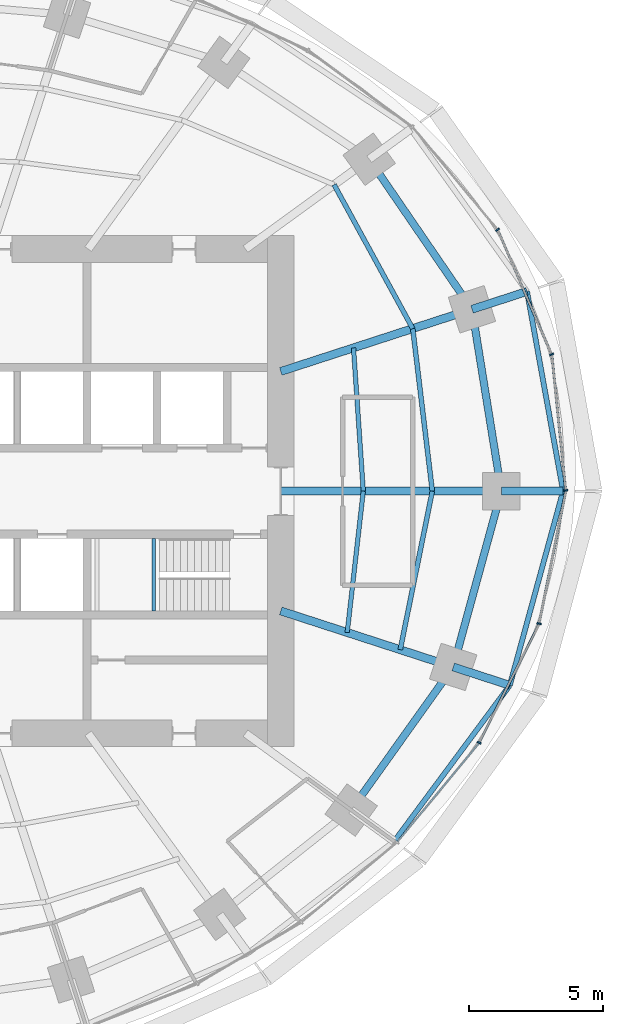
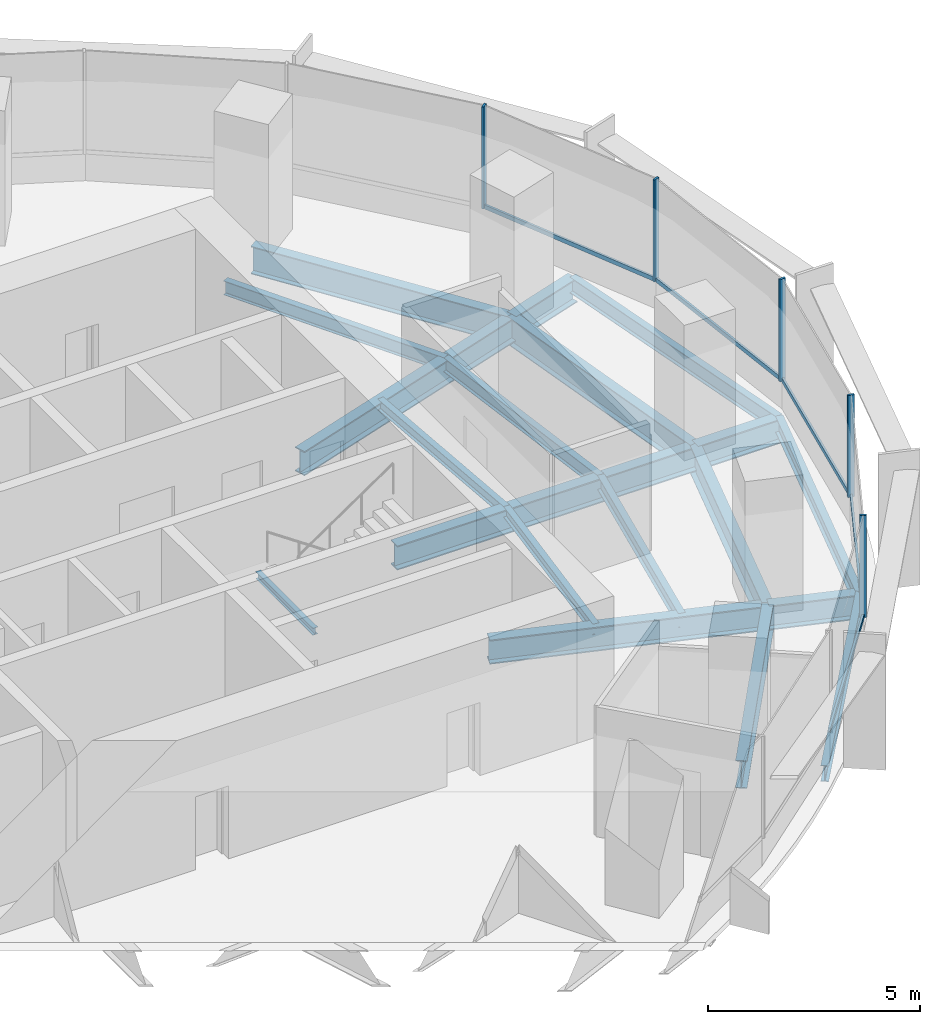
# One storey, part 6 of 15: 19 beams, 10 members, 2 elements without a shape of their own.
"""IFC4 building model written with IfcOpenShell, lengths in metres."""

from ifc_helpers import new_model, si_unit, direction, frame, origin, origin_2d, place, context, subcontext, project, spatial, rectangle, i_section, extrude, material, material_profile, profile_set, type_object, element, aggregate, save


model = new_model("IFC4")

# Units and contexts
model_context = context("Model", 3, precision=1e-05, world=origin(), true_north=direction((0.0, 1.0)))
body_context = subcontext(model_context, "Body", "Model", "MODEL_VIEW")
ifc_project = project(units=[si_unit("LENGTHUNIT", "METRE"), si_unit("AREAUNIT", "SQUARE_METRE"), si_unit("VOLUMEUNIT", "CUBIC_METRE"), si_unit("PLANEANGLEUNIT", "RADIAN"), si_unit("MASSUNIT", "GRAM", prefix="KILO")], contexts=[model_context])

# Site, building, storey
site_placement = place(None, origin())
site = spatial("IfcSite", under=ifc_project, at=site_placement, CompositionType="ELEMENT")
building_placement = place(site_placement, origin())
building = spatial("IfcBuilding", under=site, at=building_placement, Name="Marramba Exchange Tower", CompositionType="ELEMENT")
storey_placement = place(building_placement, frame((0.0, 0.0, 187.699951171875)))
storey = spatial("IfcBuildingStorey", under=building, at=storey_placement, Name="L45", CompositionType="ELEMENT", Elevation=187.699951171875)

# Beams
ifc_material_1 = material(Name="Steel AS/NZS 3679.2 grade 300", Category="steel")
ifc_material_profile_1 = material_profile(ifc_material_1, i_section(OverallWidth=0.300048828125, OverallDepth=0.699951171875, WebThickness=0.010009765625, FlangeThickness=0.031982421875, at=origin_2d()), Name="700WB173")
ifc_profile_set_1 = profile_set([ifc_material_profile_1], Name="Steel AS/NZS 3679.2 grade 300")
beam_type_1 = type_object("IfcBeamType", Name="Cantilever girder 700WB173", PredefinedType="BEAM", material=ifc_profile_set_1)
beam_1_placement = place(storey_placement, frame((21.89990234375, 0.0, -0.510009765625), z_axis=(1.0, 0.0, 0.0), x_axis=(0.0, 1.0, 0.0)))
element("IfcBeam", 1, at=beam_1_placement, inside=storey, type_object=beam_type_1, Name="Cantilever girder L45 TC01", PredefinedType="BEAM", context=body_context, shape_type="SweptSolid", body=[
    extrude(i_section(OverallWidth=0.300048828125, OverallDepth=0.699951171875, WebThickness=0.010009765625, FlangeThickness=0.031982421875, at=origin_2d()), origin(), (0.0, 0.0, 1.0), 2.294189453125),
])
beam_2_placement = place(storey_placement, frame((20.808349609375, 6.760986328125, -0.510009765625), z_axis=(0.951051587859, 0.309032162129, 0.0), x_axis=(-0.309032162129, 0.951051587859, 0.0)))
element("IfcBeam", 2, at=beam_2_placement, inside=storey, type_object=beam_type_1, Name="Cantilever girder L45 TC02", PredefinedType="BEAM", context=body_context, shape_type="SweptSolid", body=[
    extrude(i_section(OverallWidth=0.300048828125, OverallDepth=0.699951171875, WebThickness=0.010009765625, FlangeThickness=0.031982421875, at=origin_2d()), origin(), (0.0, 0.0, 1.0), 2.150390625),
])
beam_3_placement = place(storey_placement, frame((20.109375, -6.533935546875, -0.510009765625), z_axis=(0.951050283347, -0.309036176758, 0.0), x_axis=(0.309036176758, 0.951050283347, 0.0)))
element("IfcBeam", 3, at=beam_3_placement, inside=storey, type_object=beam_type_1, Name="Cantilever girder L45 TC20", PredefinedType="BEAM", context=body_context, shape_type="SweptSolid", body=[
    extrude(i_section(OverallWidth=0.300048828125, OverallDepth=0.699951171875, WebThickness=0.010009765625, FlangeThickness=0.031982421875, at=origin_2d()), origin(), (0.0, 0.0, 1.0), 2.212890625),
])
ifc_material_2 = material(Name="Steel AS/NZS 3679.1 grade 300", Category="steel")
ifc_material_profile_2 = material_profile(ifc_material_2, i_section(OverallWidth=0.166015625, OverallDepth=0.306884765625, WebThickness=0.006591796875, FlangeThickness=0.01171875, FilletRadius=0.011474609375, at=origin_2d()), Name="310UB46.2")
ifc_profile_set_2 = profile_set([ifc_material_profile_2], Name="Steel AS/NZS 3679.1 grade 300")
beam_type_2 = type_object("IfcBeamType", Name="Floor joist 310UB46.2", PredefinedType="JOIST", material=ifc_profile_set_2)
beam_4_placement = place(storey_placement, frame((16.7666015625, 0.0, -0.3134765625), z_axis=(-0.068096259546, 0.99767875563, 0.0), x_axis=(-0.99767875563, -0.068096259546, 0.0)))
element("IfcBeam", 4, at=beam_4_placement, inside=storey, type_object=beam_type_2, Name="Joist L45 bay 01 row 1", PredefinedType="JOIST", context=body_context, shape_type="SweptSolid", body=[
    extrude(i_section(OverallWidth=0.166015625, OverallDepth=0.306884765625, WebThickness=0.006591796875, FlangeThickness=0.01171875, FilletRadius=0.011474609375, at=origin_2d()), origin(), (0.0, 0.0, 1.0), 5.342041015625),
])
beam_5_placement = place(storey_placement, frame((16.169677734375, -5.25390625, -0.3134765625), z_axis=(0.112888968594, 0.993607609054, 0.0), x_axis=(-0.993607609054, 0.112888968594, 0.0)))
element("IfcBeam", 5, at=beam_5_placement, inside=storey, type_object=beam_type_2, Name="Joist L45 bay 20 row 1", PredefinedType="JOIST", context=body_context, shape_type="SweptSolid", body=[
    extrude(i_section(OverallWidth=0.166015625, OverallDepth=0.306884765625, WebThickness=0.006591796875, FlangeThickness=0.01171875, FilletRadius=0.011474609375, at=origin_2d()), origin(), (0.0, 0.0, 1.0), 5.28759765625),
])
ifc_material_profile_3 = material_profile(ifc_material_2, i_section(OverallWidth=0.177978515625, OverallDepth=0.406005859375, WebThickness=0.0078125, FlangeThickness=0.0126953125, FilletRadius=0.011474609375, at=origin_2d()), Name="410UB59.7")
ifc_profile_set_3 = profile_set([ifc_material_profile_3], Name="Steel AS/NZS 3679.1 grade 300")
beam_type_3 = type_object("IfcBeamType", Name="Floor joist 410UB59.7", PredefinedType="JOIST", material=ifc_profile_set_3)
beam_6_placement = place(storey_placement, frame((19.333251953125, 0.0, -0.363037109375), z_axis=(-0.119523078538, 0.992831422597, 0.0), x_axis=(-0.992831422597, -0.119523078538, 0.0)))
element("IfcBeam", 6, at=beam_6_placement, inside=storey, type_object=beam_type_3, Name="Joist L45 bay 01 row 2", PredefinedType="JOIST", context=body_context, shape_type="SweptSolid", body=[
    extrude(i_section(OverallWidth=0.177978515625, OverallDepth=0.406005859375, WebThickness=0.0078125, FlangeThickness=0.0126953125, FilletRadius=0.011474609375, at=origin_2d()), origin(), (0.0, 0.0, 1.0), 6.089111328125),
])
beam_7_placement = place(storey_placement, frame((18.60546875, 6.04541015625, -0.363037109375), z_axis=(-0.479584443791, 0.877495732909, 0.0), x_axis=(-0.877495732909, -0.479584443791, 0.0)))
element("IfcBeam", 7, at=beam_7_placement, inside=storey, type_object=beam_type_3, Name="Joist L45 bay 02 row 2", PredefinedType="JOIST", context=body_context, shape_type="SweptSolid", body=[
    extrude(i_section(OverallWidth=0.177978515625, OverallDepth=0.406005859375, WebThickness=0.0078125, FlangeThickness=0.0126953125, FilletRadius=0.011474609375, at=origin_2d()), origin(), (0.0, 0.0, 1.0), 6.094970703125),
])
beam_8_placement = place(storey_placement, frame((18.1396484375, -5.893798828125, -0.363037109375), z_axis=(0.198489047047, 0.980103105904, 0.0), x_axis=(-0.980103105904, 0.198489047047, 0.0)))
element("IfcBeam", 8, at=beam_8_placement, inside=storey, type_object=beam_type_3, Name="Joist L45 bay 20 row 2", PredefinedType="JOIST", context=body_context, shape_type="SweptSolid", body=[
    extrude(i_section(OverallWidth=0.177978515625, OverallDepth=0.406005859375, WebThickness=0.0078125, FlangeThickness=0.0126953125, FilletRadius=0.011474609375, at=origin_2d()), origin(), (0.0, 0.0, 1.0), 6.013427734375),
])

# Curtain wall, members
ifc_material_3 = material(Name="Aluminium framing, bronze anodised", Category="aluminium")
curtain_wall_type = type_object("IfcCurtainWallType", Name="Office ribbon curtain wall", PredefinedType="USERDEFINED", material=ifc_material_3)
curtain_wall_1_placement = place(storey_placement, origin())
curtain_wall_1 = element("IfcCurtainWall", 9, at=curtain_wall_1_placement, inside=storey, type_object=curtain_wall_type, Name="Curtain wall CW4 L45 F01-F05", ObjectType="RIBBON CURTAIN WALL", PredefinedType="USERDEFINED")
ifc_material_4 = material(Name="Aluminium mullion, bronze anodised", Category="aluminium")
ifc_material_profile_4 = material_profile(ifc_material_4, rectangle(XDim=0.159912109375, YDim=0.06005859375, at=origin_2d()), Name="CW4 mullion 60x160")
ifc_profile_set_4 = profile_set([ifc_material_profile_4], Name="Aluminium mullion, bronze anodised")
member_type_1 = type_object("IfcMemberType", Name="Office ribbon curtain wall mullion", PredefinedType="MULLION", material=ifc_profile_set_4)
member_1_placement = place(storey_placement, frame((24.291015625, 0.02978515625, 0.800048828125), z_axis=(0.0, 0.0, 1.0), x_axis=(-0.994843446001, -0.101422472607, 0.0)))
member_1 = element("IfcMember", 10, at=member_1_placement, type_object=member_type_1, Name="CW4 mullion 1", PredefinedType="MULLION", context=body_context, shape_type="SweptSolid", body=[
    extrude(rectangle(XDim=0.159912109375, YDim=0.06005859375, at=origin_2d()), origin(), (0.0, 0.0, 1.0), 2.93994140625),
])
member_2_placement = place(storey_placement, frame((23.766845703125, 5.081787109375, 0.800048828125), z_axis=(0.0, 0.0, 1.0), x_axis=(-0.918167104527, -0.396193346946, 0.0)))
member_2 = element("IfcMember", 11, at=member_2_placement, type_object=member_type_1, Name="CW4 mullion 1", PredefinedType="MULLION", context=body_context, shape_type="SweptSolid", body=[
    extrude(rectangle(XDim=0.159912109375, YDim=0.06005859375, at=origin_2d()), origin(), (0.0, 0.0, 1.0), 2.93994140625),
])
member_3_placement = place(storey_placement, frame((21.757080078125, 9.718505859375, 0.800048828125), z_axis=(0.0, 0.0, 1.0), x_axis=(-0.770574258342, -0.637350227411, 0.0)))
member_3 = element("IfcMember", 12, at=member_3_placement, type_object=member_type_1, Name="CW4 mullion 1", PredefinedType="MULLION", context=body_context, shape_type="SweptSolid", body=[
    extrude(rectangle(XDim=0.159912109375, YDim=0.06005859375, at=origin_2d()), origin(), (0.0, 0.0, 1.0), 2.93994140625),
])

curtain_wall_2_placement = place(storey_placement, origin())
curtain_wall_2 = element("IfcCurtainWall", 13, at=curtain_wall_2_placement, inside=storey, type_object=curtain_wall_type, Name="Curtain wall CW4 L45 F26-F30", ObjectType="RIBBON CURTAIN WALL", PredefinedType="USERDEFINED")
member_4_placement = place(storey_placement, frame((21.07568359375, -9.3505859375, 0.800048828125), z_axis=(0.0, 0.0, 1.0), x_axis=(-0.892689067591, 0.450673083956, 0.0)))
member_4 = element("IfcMember", 14, at=member_4_placement, type_object=member_type_1, Name="CW4 mullion 1", PredefinedType="MULLION", context=body_context, shape_type="SweptSolid", body=[
    extrude(rectangle(XDim=0.159912109375, YDim=0.06005859375, at=origin_2d()), origin(), (0.0, 0.0, 1.0), 2.93994140625),
])
member_5_placement = place(storey_placement, frame((23.30224609375, -4.92236328125, 0.800048828125), z_axis=(0.0, 0.0, 1.0), x_axis=(-0.980303812539, 0.197495405316, 0.0)))
member_5 = element("IfcMember", 15, at=member_5_placement, type_object=member_type_1, Name="CW4 mullion 1", PredefinedType="MULLION", context=body_context, shape_type="SweptSolid", body=[
    extrude(rectangle(XDim=0.159912109375, YDim=0.06005859375, at=origin_2d()), origin(), (0.0, 0.0, 1.0), 2.93994140625),
])

# Member
ifc_material_5 = material(Name="Aluminium transom, bronze anodised", Category="aluminium")
ifc_material_profile_5 = material_profile(ifc_material_5, rectangle(XDim=0.06005859375, YDim=0.1201171875, at=origin_2d()), Name="CW4 transom 60x120")
ifc_profile_set_5 = profile_set([ifc_material_profile_5], Name="Aluminium transom, bronze anodised")
member_type_2 = type_object("IfcMemberType", Name="Office ribbon curtain wall transom", PredefinedType="USERDEFINED", material=ifc_profile_set_5)
member_6_placement = place(storey_placement, frame((24.287841796875, 0.0595703125, 0.830078125), z_axis=(-0.101386007846, 0.994847162841, 0.0), x_axis=(-0.994847162841, -0.101386007846, 0.0)))
member_6 = element("IfcMember", 16, at=member_6_placement, type_object=member_type_2, Name="CW4 sill transom", ObjectType="TRANSOM", PredefinedType="USERDEFINED", context=body_context, shape_type="SweptSolid", body=[
    extrude(rectangle(XDim=0.06005859375, YDim=0.1201171875, at=origin_2d()), origin(), (0.0, 0.0, 1.0), 5.020751953125),
])

member_7_placement = place(storey_placement, frame((23.7548828125, 5.109375, 0.830078125), z_axis=(-0.396177573744, 0.918173910576, 0.0), x_axis=(-0.918173910576, -0.396177573744, 0.0)))
member_7 = element("IfcMember", 17, at=member_7_placement, type_object=member_type_2, Name="CW4 sill transom", ObjectType="TRANSOM", PredefinedType="USERDEFINED", context=body_context, shape_type="SweptSolid", body=[
    extrude(rectangle(XDim=0.06005859375, YDim=0.1201171875, at=origin_2d()), origin(), (0.0, 0.0, 1.0), 4.99462890625),
])

aggregate(curtain_wall_1, [member_1, member_6, member_2, member_7, member_3])

member_8_placement = place(storey_placement, frame((18.03515625, -13.029296875, 0.830078125), z_axis=(0.638146908901, 0.76991462037, 0.0), x_axis=(-0.76991462037, 0.638146908901, 0.0)))
member_8 = element("IfcMember", 18, at=member_8_placement, type_object=member_type_2, Name="CW4 sill transom", ObjectType="TRANSOM", PredefinedType="USERDEFINED", context=body_context, shape_type="SweptSolid", body=[
    extrude(rectangle(XDim=0.06005859375, YDim=0.1201171875, at=origin_2d()), origin(), (0.0, 0.0, 1.0), 4.7431640625),
])

member_9_placement = place(storey_placement, frame((21.089111328125, -9.323974609375, 0.830078125), z_axis=(0.450679681949, 0.892685736572, 0.0), x_axis=(-0.892685736572, 0.450679681949, 0.0)))
member_9 = element("IfcMember", 19, at=member_9_placement, type_object=member_type_2, Name="CW4 sill transom", ObjectType="TRANSOM", PredefinedType="USERDEFINED", context=body_context, shape_type="SweptSolid", body=[
    extrude(rectangle(XDim=0.06005859375, YDim=0.1201171875, at=origin_2d()), origin(), (0.0, 0.0, 1.0), 4.897705078125),
])

member_10_placement = place(storey_placement, frame((23.308349609375, -4.89306640625, 0.830078125), z_axis=(0.197461053167, 0.980310732616, 0.0), x_axis=(-0.980310732616, 0.197461053167, 0.0)))
member_10 = element("IfcMember", 20, at=member_10_placement, type_object=member_type_2, Name="CW4 sill transom", ObjectType="TRANSOM", PredefinedType="USERDEFINED", context=body_context, shape_type="SweptSolid", body=[
    extrude(rectangle(XDim=0.06005859375, YDim=0.1201171875, at=origin_2d()), origin(), (0.0, 0.0, 1.0), 4.991455078125),
])

aggregate(curtain_wall_2, [member_8, member_4, member_9, member_5, member_10])

# Beams
ifc_material_profile_6 = material_profile(ifc_material_1, i_section(OverallWidth=0.300048828125, OverallDepth=0.699951171875, WebThickness=0.010009765625, FlangeThickness=0.031982421875, at=origin_2d()), Name="700WB173")
ifc_profile_set_6 = profile_set([ifc_material_profile_6], Name="Steel AS/NZS 3679.2 grade 300")
beam_type_4 = type_object("IfcBeamType", Name="Radial girder 700WB173", PredefinedType="BEAM", material=ifc_profile_set_6)
beam_9_placement = place(storey_placement, frame((13.699951171875, 0.0, -0.510009765625), z_axis=(1.0, 0.0, 0.0), x_axis=(0.0, 1.0, 0.0)))
element("IfcBeam", 21, at=beam_9_placement, inside=storey, type_object=beam_type_4, Name="Radial girder L45 TC01", PredefinedType="BEAM", context=body_context, shape_type="SweptSolid", body=[
    extrude(i_section(OverallWidth=0.300048828125, OverallDepth=0.699951171875, WebThickness=0.010009765625, FlangeThickness=0.031982421875, at=origin_2d()), origin(), (0.0, 0.0, 1.0), 8.199951171875),
])
beam_10_placement = place(storey_placement, frame((13.699951171875, 4.451416015625, -0.510009765625), z_axis=(0.951059990189, 0.309006302624, 0.0), x_axis=(-0.309006302624, 0.951059990189, 0.0)))
element("IfcBeam", 22, at=beam_10_placement, inside=storey, type_object=beam_type_4, Name="Radial girder L45 TC02", PredefinedType="BEAM", context=body_context, shape_type="SweptSolid", body=[
    extrude(i_section(OverallWidth=0.300048828125, OverallDepth=0.699951171875, WebThickness=0.010009765625, FlangeThickness=0.031982421875, at=origin_2d()), origin(), (0.0, 0.0, 1.0), 7.47412109375),
])
beam_11_placement = place(storey_placement, frame((13.699951171875, -4.451416015625, -0.510009765625), z_axis=(0.951057759669, -0.309013167637, 0.0), x_axis=(0.309013167637, 0.951057759669, 0.0)))
element("IfcBeam", 23, at=beam_11_placement, inside=storey, type_object=beam_type_4, Name="Radial girder L45 TC20", PredefinedType="BEAM", context=body_context, shape_type="SweptSolid", body=[
    extrude(i_section(OverallWidth=0.300048828125, OverallDepth=0.699951171875, WebThickness=0.010009765625, FlangeThickness=0.031982421875, at=origin_2d()), origin(), (0.0, 0.0, 1.0), 6.7392578125),
])
ifc_material_profile_7 = material_profile(ifc_material_1, i_section(OverallWidth=0.27490234375, OverallDepth=0.800048828125, WebThickness=0.010009765625, FlangeThickness=0.02490234375, at=origin_2d()), Name="800WB168")
ifc_profile_set_7 = profile_set([ifc_material_profile_7], Name="Steel AS/NZS 3679.2 grade 300")
beam_type_5 = type_object("IfcBeamType", Name="Ring beam 800WB168", PredefinedType="SPANDREL", material=ifc_profile_set_7)
beam_12_placement = place(storey_placement, frame((21.89990234375, 0.0, -0.56005859375), z_axis=(-0.159384865399, 0.987216523708, 0.0), x_axis=(-0.987216523708, -0.159384865399, 0.0)))
element("IfcBeam", 24, at=beam_12_placement, inside=storey, type_object=beam_type_5, Name="Ring beam L45 TC01-TC02", PredefinedType="SPANDREL", context=body_context, shape_type="SweptSolid", body=[
    extrude(i_section(OverallWidth=0.27490234375, OverallDepth=0.800048828125, WebThickness=0.010009765625, FlangeThickness=0.02490234375, at=origin_2d()), origin(), (0.0, 0.0, 1.0), 6.8486328125),
])
beam_13_placement = place(storey_placement, frame((20.808349609375, 6.760986328125, -0.56005859375), z_axis=(-0.56516002054, 0.824981303535, 0.0), x_axis=(-0.824981303535, -0.56516002054, 0.0)))
element("IfcBeam", 25, at=beam_13_placement, inside=storey, type_object=beam_type_5, Name="Ring beam L45 TC02-TC03", PredefinedType="SPANDREL", context=body_context, shape_type="SweptSolid", body=[
    extrude(i_section(OverallWidth=0.27490234375, OverallDepth=0.800048828125, WebThickness=0.010009765625, FlangeThickness=0.02490234375, at=origin_2d()), origin(), (0.0, 0.0, 1.0), 6.763671875),
])
beam_14_placement = place(storey_placement, frame((16.3154296875, -11.853759765625, -0.56005859375), z_axis=(0.580637181111, 0.814162430914, 0.0), x_axis=(-0.814162430914, 0.580637181111, 0.0)))
element("IfcBeam", 26, at=beam_14_placement, inside=storey, type_object=beam_type_5, Name="Ring beam L45 TC19-TC20", PredefinedType="SPANDREL", context=body_context, shape_type="SweptSolid", body=[
    extrude(i_section(OverallWidth=0.27490234375, OverallDepth=0.800048828125, WebThickness=0.010009765625, FlangeThickness=0.02490234375, at=origin_2d()), origin(), (0.0, 0.0, 1.0), 6.5341796875),
])
beam_15_placement = place(storey_placement, frame((20.109375, -6.533935546875, -0.56005859375), z_axis=(0.264291166956, 0.964442937176, 0.0), x_axis=(-0.964442937176, 0.264291166956, 0.0)))
element("IfcBeam", 27, at=beam_15_placement, inside=storey, type_object=beam_type_5, Name="Ring beam L45 TC20-TC01", PredefinedType="SPANDREL", context=body_context, shape_type="SweptSolid", body=[
    extrude(i_section(OverallWidth=0.27490234375, OverallDepth=0.800048828125, WebThickness=0.010009765625, FlangeThickness=0.02490234375, at=origin_2d()), origin(), (0.0, 0.0, 1.0), 6.77490234375),
])
ifc_material_profile_8 = material_profile(ifc_material_2, i_section(OverallWidth=0.19091796875, OverallDepth=0.4599609375, WebThickness=0.010009765625, FlangeThickness=0.01611328125, FilletRadius=0.011474609375, at=origin_2d()), Name="460UB82.1")
ifc_profile_set_8 = profile_set([ifc_material_profile_8], Name="Steel AS/NZS 3679.1 grade 300")
beam_type_6 = type_object("IfcBeamType", Name="Slab edge beam 460UB82.1", PredefinedType="SPANDREL", material=ifc_profile_set_8)
beam_16_placement = place(storey_placement, frame((24.194091796875, 0.0, -0.389892578125), z_axis=(-0.177663817107, 0.984091239719, 0.0), x_axis=(-0.984091239719, -0.177663817107, 0.0)))
element("IfcBeam", 28, at=beam_16_placement, inside=storey, type_object=beam_type_6, Name="Slab edge beam L45 TC01-TC02", PredefinedType="SPANDREL", context=body_context, shape_type="SweptSolid", body=[
    extrude(i_section(OverallWidth=0.19091796875, OverallDepth=0.4599609375, WebThickness=0.010009765625, FlangeThickness=0.01611328125, FilletRadius=0.011474609375, at=origin_2d()), origin(), (0.0, 0.0, 1.0), 7.545654296875),
])
beam_17_placement = place(storey_placement, frame((17.916015625, -13.016845703125, -0.389892578125), z_axis=(0.595428136035, 0.803408572781, 0.0), x_axis=(-0.803408572781, 0.595428136035, 0.0)))
element("IfcBeam", 29, at=beam_17_placement, inside=storey, type_object=beam_type_6, Name="Slab edge beam L45 TC19-TC20", PredefinedType="SPANDREL", context=body_context, shape_type="SweptSolid", body=[
    extrude(i_section(OverallWidth=0.19091796875, OverallDepth=0.4599609375, WebThickness=0.010009765625, FlangeThickness=0.01611328125, FilletRadius=0.011474609375, at=origin_2d()), origin(), (0.0, 0.0, 1.0), 7.218017578125),
])
beam_18_placement = place(storey_placement, frame((22.2138671875, -7.2177734375, -0.389892578125), z_axis=(0.264577205901, 0.964364506874, 0.0), x_axis=(-0.964364506874, 0.264577205901, 0.0)))
element("IfcBeam", 30, at=beam_18_placement, inside=storey, type_object=beam_type_6, Name="Slab edge beam L45 TC20-TC01", PredefinedType="SPANDREL", context=body_context, shape_type="SweptSolid", body=[
    extrude(i_section(OverallWidth=0.19091796875, OverallDepth=0.4599609375, WebThickness=0.010009765625, FlangeThickness=0.01611328125, FilletRadius=0.011474609375, at=origin_2d()), origin(), (0.0, 0.0, 1.0), 7.484375),
])
ifc_material_profile_9 = material_profile(ifc_material_2, i_section(OverallWidth=0.133056640625, OverallDepth=0.202880859375, WebThickness=0.005859375, FlangeThickness=0.0078125, FilletRadius=0.0087890625, at=origin_2d()), Name="200UB25.4")
ifc_profile_set_9 = profile_set([ifc_material_profile_9], Name="Steel AS/NZS 3679.1 grade 300")
beam_type_7 = type_object("IfcBeamType", Name="Stair landing beam 200UB25.4", PredefinedType="BEAM", material=ifc_profile_set_9)
beam_19_placement = place(storey_placement, frame((8.9833984375, -4.449951171875, 1.6484375), z_axis=(0.0, 1.0, 0.0), x_axis=(-1.0, 0.0, 0.0)))
element("IfcBeam", 31, at=beam_19_placement, inside=storey, type_object=beam_type_7, Name="Stair landing beam SLB1 ST2 L45 2", PredefinedType="BEAM", context=body_context, shape_type="SweptSolid", body=[
    extrude(i_section(OverallWidth=0.133056640625, OverallDepth=0.202880859375, WebThickness=0.005859375, FlangeThickness=0.0078125, FilletRadius=0.0087890625, at=origin_2d()), origin(), (0.0, 0.0, 1.0), 2.699951171875),
])

save(model, "model.ifc")
